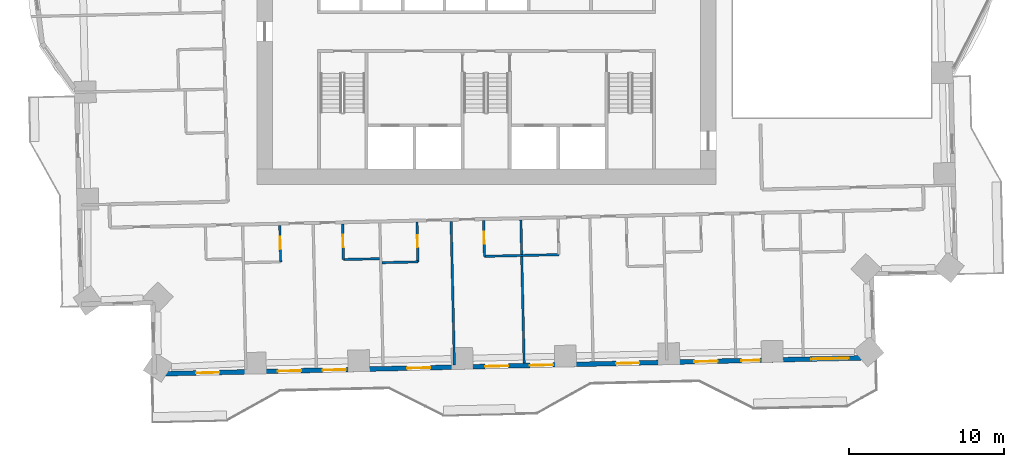
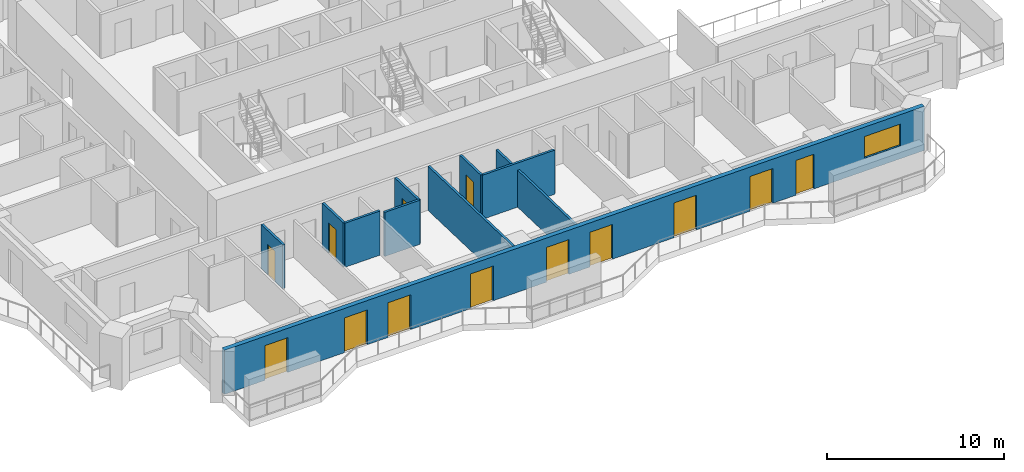
# One storey, part 6 of 17: 13 doors, 10 walls, 1 window, 14 openings.
"""IFC4 building model written with IfcOpenShell, lengths in metres."""

from ifc_helpers import new_model, si_unit, direction, frame, frame_2d, origin, place, context, subcontext, project, spatial, rectangle, extrude, material, layer, layer_set, type_object, element, fill, save


model = new_model("IFC4")

# Units and contexts
model_context = context("Model", 3, precision=1e-05, world=origin(), true_north=direction((0.0, 1.0)))
body_context = subcontext(model_context, "Body", "Model", "MODEL_VIEW")
ifc_project = project(units=[si_unit("LENGTHUNIT", "METRE"), si_unit("AREAUNIT", "SQUARE_METRE"), si_unit("VOLUMEUNIT", "CUBIC_METRE"), si_unit("PLANEANGLEUNIT", "RADIAN"), si_unit("MASSUNIT", "GRAM", prefix="KILO")], contexts=[model_context])

# Site, building, storey
site_placement = place(None, origin())
site = spatial("IfcSite", under=ifc_project, at=site_placement, CompositionType="ELEMENT")
building_placement = place(site_placement, origin())
building = spatial("IfcBuilding", under=site, at=building_placement, Name="Mangrove Gate Tower", CompositionType="ELEMENT")
storey_placement = place(building_placement, frame((0.0, 0.0, 90.10009765625)))
storey = spatial("IfcBuildingStorey", under=building, at=storey_placement, Name="L22", CompositionType="ELEMENT", Elevation=90.10009765625)

# Wall, openings, doors, window
ifc_material_1 = material(Name="Limestone", Category="masonry")
ifc_layer_1 = layer(ifc_material_1, 0.0400390625, Name="Limestone cladding")
ifc_material_2 = material(Name="Ventilated air gap")
ifc_layer_2 = layer(ifc_material_2, 0.0400390625, Name="Ventilated cavity")
ifc_material_3 = material(Name="Mineral wool insulation")
ifc_layer_3 = layer(ifc_material_3, 0.06005859375, Name="Insulation")
ifc_material_4 = material(Name="Breather membrane")
ifc_layer_4 = layer(ifc_material_4, 0.001953125, Name="Breather membrane")
ifc_material_5 = material(Name="Concrete C20/25 blockwork", Category="masonry")
ifc_layer_5 = layer(ifc_material_5, 0.14990234375, Name="Blockwork backing wall")
ifc_material_6 = material(Name="Gypsum plaster")
ifc_layer_6 = layer(ifc_material_6, 0.008056640625, Name="Internal plaster")
ifc_layer_set_1 = layer_set([ifc_layer_1, ifc_layer_2, ifc_layer_3, ifc_layer_4, ifc_layer_5, ifc_layer_6], Name="External wall 300 limestone cladding")
wall_type_1 = type_object("IfcWallType", Name="External wall 300 limestone cladding", PredefinedType="SOLIDWALL", material=ifc_layer_set_1)
wall_1_placement = place(storey_placement, frame((-21.408935546875, -24.029052734375, 0.0), z_axis=(0.0, 0.0, 1.0), x_axis=(0.999742634032, 0.022686244721, 0.0)))
wall_1 = element("IfcWall", 1, at=wall_1_placement, inside=storey, type_object=wall_type_1, Name="WALL-L22-S13", PredefinedType="SOLIDWALL", context=body_context, shape_type="SweptSolid", body=[
    extrude(rectangle(XDim=46.371826171875, YDim=0.300048828125, at=frame_2d((23.18603515625, 0.0))), origin(), (0.0, 0.0, 1.0), 3.0498046875),
])
opening_1_placement = place(wall_1_placement, frame((2.68603515625, 0.0, 0.0)))
opening_1 = element("IfcOpeningElement", 2, at=opening_1_placement, cuts=wall_1, Name="Opening BD1", PredefinedType="OPENING", context=body_context, shape_type="SweptSolid", body=[
    extrude(rectangle(XDim=1.5, YDim=2.39990234375, at=frame_2d((0.75, 1.199951171875))), frame((0.0, 0.159912109375, 0.0), z_axis=(0.0, -1.0, 0.0), x_axis=(1.0, 0.0, 0.0)), (0.0, 0.0, 1.0), 0.320068359375),
])
opening_2_placement = place(wall_1_placement, frame((7.958984375, 0.0, 0.0)))
opening_2 = element("IfcOpeningElement", 3, at=opening_2_placement, cuts=wall_1, Name="Opening BD1", PredefinedType="OPENING", context=body_context, shape_type="SweptSolid", body=[
    extrude(rectangle(XDim=1.5, YDim=2.39990234375, at=frame_2d((0.75, 1.199951171875))), frame((0.0, 0.159912109375, 0.0), z_axis=(0.0, -1.0, 0.0), x_axis=(1.0, 0.0, 0.0)), (0.0, 0.0, 1.0), 0.320068359375),
])
opening_3_placement = place(wall_1_placement, frame((10.842041015625, 0.0, 0.0)))
opening_3 = element("IfcOpeningElement", 4, at=opening_3_placement, cuts=wall_1, Name="Opening BD1", PredefinedType="OPENING", context=body_context, shape_type="SweptSolid", body=[
    extrude(rectangle(XDim=1.5, YDim=2.39990234375, at=frame_2d((0.75, 1.199951171875))), frame((0.0, 0.159912109375, 0.0), z_axis=(0.0, -1.0, 0.0), x_axis=(1.0, 0.0, 0.0)), (0.0, 0.0, 1.0), 0.320068359375),
])
opening_4_placement = place(wall_1_placement, frame((16.300048828125, 0.0, 0.0)))
opening_4 = element("IfcOpeningElement", 5, at=opening_4_placement, cuts=wall_1, Name="Opening BD1", PredefinedType="OPENING", context=body_context, shape_type="SweptSolid", body=[
    extrude(rectangle(XDim=1.5, YDim=2.39990234375, at=frame_2d((0.75, 1.199951171875))), frame((0.0, 0.159912109375, 0.0), z_axis=(0.0, -1.0, 0.0), x_axis=(1.0, 0.0, 0.0)), (0.0, 0.0, 1.0), 0.320068359375),
])
opening_5_placement = place(wall_1_placement, frame((21.325927734375, 0.0, 0.0)))
opening_5 = element("IfcOpeningElement", 6, at=opening_5_placement, cuts=wall_1, Name="Opening BD1", PredefinedType="OPENING", context=body_context, shape_type="SweptSolid", body=[
    extrude(rectangle(XDim=1.5, YDim=2.39990234375, at=frame_2d((0.75, 1.199951171875))), frame((0.0, 0.159912109375, 0.0), z_axis=(0.0, -1.0, 0.0), x_axis=(1.0, 0.0, 0.0)), (0.0, 0.0, 1.0), 0.320068359375),
])
opening_6_placement = place(wall_1_placement, frame((24.2099609375, 0.0, 0.0)))
opening_6 = element("IfcOpeningElement", 7, at=opening_6_placement, cuts=wall_1, Name="Opening BD1", PredefinedType="OPENING", context=body_context, shape_type="SweptSolid", body=[
    extrude(rectangle(XDim=1.5, YDim=2.39990234375, at=frame_2d((0.75, 1.199951171875))), frame((0.0, 0.159912109375, 0.0), z_axis=(0.0, -1.0, 0.0), x_axis=(1.0, 0.0, 0.0)), (0.0, 0.0, 1.0), 0.320068359375),
])
opening_7_placement = place(wall_1_placement, frame((29.76904296875, 0.0, 0.0)))
opening_7 = element("IfcOpeningElement", 8, at=opening_7_placement, cuts=wall_1, Name="Opening BD1", PredefinedType="OPENING", context=body_context, shape_type="SweptSolid", body=[
    extrude(rectangle(XDim=1.5, YDim=2.39990234375, at=frame_2d((0.75, 1.199951171875))), frame((0.0, 0.159912109375, 0.0), z_axis=(0.0, -1.0, 0.0), x_axis=(1.0, 0.0, 0.0)), (0.0, 0.0, 1.0), 0.320068359375),
])
opening_8_placement = place(wall_1_placement, frame((34.819091796875, 0.0, 0.0)))
opening_8 = element("IfcOpeningElement", 9, at=opening_8_placement, cuts=wall_1, Name="Opening BD1", PredefinedType="OPENING", context=body_context, shape_type="SweptSolid", body=[
    extrude(rectangle(XDim=1.5, YDim=2.39990234375, at=frame_2d((0.75, 1.199951171875))), frame((0.0, 0.159912109375, 0.0), z_axis=(0.0, -1.0, 0.0), x_axis=(1.0, 0.0, 0.0)), (0.0, 0.0, 1.0), 0.320068359375),
])
opening_9_placement = place(wall_1_placement, frame((37.85205078125, 0.0, 0.0)))
opening_9 = element("IfcOpeningElement", 10, at=opening_9_placement, cuts=wall_1, Name="Opening BD2", PredefinedType="OPENING", context=body_context, shape_type="SweptSolid", body=[
    extrude(rectangle(XDim=1.199951171875, YDim=2.39990234375, at=frame_2d((0.60009765625, 1.199951171875))), frame((0.0, 0.159912109375, 0.0), z_axis=(0.0, -1.0, 0.0), x_axis=(1.0, 0.0, 0.0)), (0.0, 0.0, 1.0), 0.320068359375),
])
opening_10_placement = place(wall_1_placement, frame((42.373046875, 0.0, 0.89990234375)))
opening_10 = element("IfcOpeningElement", 11, at=opening_10_placement, cuts=wall_1, Name="Opening W2", PredefinedType="OPENING", context=body_context, shape_type="SweptSolid", body=[
    extrude(rectangle(XDim=2.39990234375, YDim=1.5, at=frame_2d((1.199951171875, 0.75))), frame((0.0, 0.159912109375, 0.0), z_axis=(0.0, -1.0, 0.0), x_axis=(1.0, 0.0, 0.0)), (0.0, 0.0, 1.0), 0.320068359375),
])
ifc_material_7 = material(Name="Aluminium frame with laminated clear glass", Category="aluminium")
door_type_1 = type_object("IfcDoorType", Name="Balcony sliding door 1200x2400", OperationType="SLIDING_TO_LEFT", PredefinedType="DOOR", material=ifc_material_7)
door_1_placement = place(opening_9_placement, origin())
door_1 = element("IfcDoor", 12, at=door_1_placement, inside=storey, type_object=door_type_1, Name="DOOR-L22-S13-9", OperationType="SLIDING_TO_LEFT", OverallHeight=2.39990234375, OverallWidth=1.199951171875, PredefinedType="DOOR", context=body_context, shape_type="SweptSolid", body=[
    extrude(rectangle(XDim=1.199951171875, YDim=2.39990234375, at=frame_2d((0.60009765625, 1.199951171875))), frame((0.0, 0.02490234375, 0.0), z_axis=(0.0, -1.0, 0.0), x_axis=(1.0, 0.0, 0.0)), (0.0, 0.0, 1.0), 0.050048828125),
])
fill(opening_9, door_1)
ifc_material_8 = material(Name="Aluminium frame with laminated clear glass", Category="aluminium")
door_type_2 = type_object("IfcDoorType", Name="Balcony sliding door 1500x2400", OperationType="SLIDING_TO_LEFT", PredefinedType="DOOR", material=ifc_material_8)
door_2_placement = place(opening_1_placement, origin())
door_2 = element("IfcDoor", 13, at=door_2_placement, inside=storey, type_object=door_type_2, Name="DOOR-L22-S13-1", OperationType="SLIDING_TO_LEFT", OverallHeight=2.39990234375, OverallWidth=1.5, PredefinedType="DOOR", context=body_context, shape_type="SweptSolid", body=[
    extrude(rectangle(XDim=1.5, YDim=2.39990234375, at=frame_2d((0.75, 1.199951171875))), frame((0.0, 0.02490234375, 0.0), z_axis=(0.0, -1.0, 0.0), x_axis=(1.0, 0.0, 0.0)), (0.0, 0.0, 1.0), 0.050048828125),
])
fill(opening_1, door_2)
door_3_placement = place(opening_2_placement, origin())
door_3 = element("IfcDoor", 14, at=door_3_placement, inside=storey, type_object=door_type_2, Name="DOOR-L22-S13-2", OperationType="SLIDING_TO_LEFT", OverallHeight=2.39990234375, OverallWidth=1.5, PredefinedType="DOOR", context=body_context, shape_type="SweptSolid", body=[
    extrude(rectangle(XDim=1.5, YDim=2.39990234375, at=frame_2d((0.75, 1.199951171875))), frame((0.0, 0.02490234375, 0.0), z_axis=(0.0, -1.0, 0.0), x_axis=(1.0, 0.0, 0.0)), (0.0, 0.0, 1.0), 0.050048828125),
])
fill(opening_2, door_3)
door_4_placement = place(opening_3_placement, origin())
door_4 = element("IfcDoor", 15, at=door_4_placement, inside=storey, type_object=door_type_2, Name="DOOR-L22-S13-3", OperationType="SLIDING_TO_LEFT", OverallHeight=2.39990234375, OverallWidth=1.5, PredefinedType="DOOR", context=body_context, shape_type="SweptSolid", body=[
    extrude(rectangle(XDim=1.5, YDim=2.39990234375, at=frame_2d((0.75, 1.199951171875))), frame((0.0, 0.02490234375, 0.0), z_axis=(0.0, -1.0, 0.0), x_axis=(1.0, 0.0, 0.0)), (0.0, 0.0, 1.0), 0.050048828125),
])
fill(opening_3, door_4)
door_5_placement = place(opening_4_placement, origin())
door_5 = element("IfcDoor", 16, at=door_5_placement, inside=storey, type_object=door_type_2, Name="DOOR-L22-S13-4", OperationType="SLIDING_TO_LEFT", OverallHeight=2.39990234375, OverallWidth=1.5, PredefinedType="DOOR", context=body_context, shape_type="SweptSolid", body=[
    extrude(rectangle(XDim=1.5, YDim=2.39990234375, at=frame_2d((0.75, 1.199951171875))), frame((0.0, 0.02490234375, 0.0), z_axis=(0.0, -1.0, 0.0), x_axis=(1.0, 0.0, 0.0)), (0.0, 0.0, 1.0), 0.050048828125),
])
fill(opening_4, door_5)
door_6_placement = place(opening_5_placement, origin())
door_6 = element("IfcDoor", 17, at=door_6_placement, inside=storey, type_object=door_type_2, Name="DOOR-L22-S13-5", OperationType="SLIDING_TO_LEFT", OverallHeight=2.39990234375, OverallWidth=1.5, PredefinedType="DOOR", context=body_context, shape_type="SweptSolid", body=[
    extrude(rectangle(XDim=1.5, YDim=2.39990234375, at=frame_2d((0.75, 1.199951171875))), frame((0.0, 0.02490234375, 0.0), z_axis=(0.0, -1.0, 0.0), x_axis=(1.0, 0.0, 0.0)), (0.0, 0.0, 1.0), 0.050048828125),
])
fill(opening_5, door_6)
door_7_placement = place(opening_6_placement, origin())
door_7 = element("IfcDoor", 18, at=door_7_placement, inside=storey, type_object=door_type_2, Name="DOOR-L22-S13-6", OperationType="SLIDING_TO_LEFT", OverallHeight=2.39990234375, OverallWidth=1.5, PredefinedType="DOOR", context=body_context, shape_type="SweptSolid", body=[
    extrude(rectangle(XDim=1.5, YDim=2.39990234375, at=frame_2d((0.75, 1.199951171875))), frame((0.0, 0.02490234375, 0.0), z_axis=(0.0, -1.0, 0.0), x_axis=(1.0, 0.0, 0.0)), (0.0, 0.0, 1.0), 0.050048828125),
])
fill(opening_6, door_7)
door_8_placement = place(opening_7_placement, origin())
door_8 = element("IfcDoor", 19, at=door_8_placement, inside=storey, type_object=door_type_2, Name="DOOR-L22-S13-7", OperationType="SLIDING_TO_LEFT", OverallHeight=2.39990234375, OverallWidth=1.5, PredefinedType="DOOR", context=body_context, shape_type="SweptSolid", body=[
    extrude(rectangle(XDim=1.5, YDim=2.39990234375, at=frame_2d((0.75, 1.199951171875))), frame((0.0, 0.02490234375, 0.0), z_axis=(0.0, -1.0, 0.0), x_axis=(1.0, 0.0, 0.0)), (0.0, 0.0, 1.0), 0.050048828125),
])
fill(opening_7, door_8)
door_9_placement = place(opening_8_placement, origin())
door_9 = element("IfcDoor", 20, at=door_9_placement, inside=storey, type_object=door_type_2, Name="DOOR-L22-S13-8", OperationType="SLIDING_TO_LEFT", OverallHeight=2.39990234375, OverallWidth=1.5, PredefinedType="DOOR", context=body_context, shape_type="SweptSolid", body=[
    extrude(rectangle(XDim=1.5, YDim=2.39990234375, at=frame_2d((0.75, 1.199951171875))), frame((0.0, 0.02490234375, 0.0), z_axis=(0.0, -1.0, 0.0), x_axis=(1.0, 0.0, 0.0)), (0.0, 0.0, 1.0), 0.050048828125),
])
fill(opening_8, door_9)
ifc_material_9 = material(Name="Aluminium frame with double-glazed low-e glass", Category="aluminium")
window_type = type_object("IfcWindowType", Name="Corner room window 2400x1500", PartitioningType="DOUBLE_PANEL_VERTICAL", PredefinedType="WINDOW", material=ifc_material_9)
window_placement = place(opening_10_placement, origin())
window = element("IfcWindow", 21, at=window_placement, inside=storey, type_object=window_type, Name="WIN-L22-S13-10", OverallHeight=1.5, OverallWidth=2.39990234375, PartitioningType="DOUBLE_PANEL_VERTICAL", PredefinedType="WINDOW", context=body_context, shape_type="SweptSolid", body=[
    extrude(rectangle(XDim=2.39990234375, YDim=1.5, at=frame_2d((1.199951171875, 0.75))), frame((0.0, 0.030029296875, 0.0), z_axis=(0.0, -1.0, 0.0), x_axis=(1.0, 0.0, 0.0)), (0.0, 0.0, 1.0), 0.06005859375),
])
fill(opening_10, window)

# Walls
ifc_material_10 = material(Name="Gypsum board on steel stud, EI 60", Category="steel")
ifc_layer_7 = layer(ifc_material_10, 0.14990234375)
ifc_layer_set_2 = layer_set([ifc_layer_7], Name="Party wall 150 EI 60")
wall_type_2 = type_object("IfcWallType", Name="Party wall 150 EI 60", PredefinedType="PARTITIONING", material=ifc_layer_set_2)
wall_2_placement = place(storey_placement, frame((-2.072021484375, -23.43994140625, 0.0), z_axis=(0.0, 0.0, 1.0), x_axis=(-0.022697424684, 0.999742380272, 0.0)))
element("IfcWall", 22, at=wall_2_placement, inside=storey, type_object=wall_type_2, Name="WALL-L22-004", PredefinedType="PARTITIONING", context=body_context, shape_type="SweptSolid", body=[
    extrude(rectangle(XDim=9.25048828125, YDim=0.14990234375, at=frame_2d((4.625244140625, 0.0))), origin(), (0.0, 0.0, 1.0), 3.0498046875),
])
wall_3_placement = place(storey_placement, frame((2.427001953125, -23.337890625, 0.0), z_axis=(0.0, 0.0, 1.0), x_axis=(-0.022698023584, 0.999742366675, 0.0)))
element("IfcWall", 23, at=wall_3_placement, inside=storey, type_object=wall_type_2, Name="WALL-L22-005", PredefinedType="PARTITIONING", context=body_context, shape_type="SweptSolid", body=[
    extrude(rectangle(XDim=9.250244140625, YDim=0.14990234375, at=frame_2d((4.625, 0.0))), origin(), (0.0, 0.0, 1.0), 2.5498046875),
])
wall_4_placement = place(storey_placement, frame((-6.742919921875, -16.85400390625, 0.0), z_axis=(0.0, 0.0, 1.0), x_axis=(0.999740260747, 0.02279059109, 0.0)))
element("IfcWall", 24, at=wall_4_placement, inside=storey, type_object=wall_type_2, Name="WALL-L22-012", PredefinedType="PARTITIONING", context=body_context, shape_type="SweptSolid", body=[
    extrude(rectangle(XDim=2.324462890625, YDim=0.14990234375, at=frame_2d((1.162109375, 0.0))), origin(), (0.0, 0.0, 1.0), 3.0498046875),
])

# Wall, opening, door
wall_5_placement = place(storey_placement, frame((-4.423095703125, -16.801025390625, 0.0), z_axis=(0.0, 0.0, 1.0), x_axis=(-0.022604411713, 0.999744487642, 0.0)))
wall_5 = element("IfcWall", 25, at=wall_5_placement, inside=storey, type_object=wall_type_2, Name="WALL-L22-013", PredefinedType="PARTITIONING", context=body_context, shape_type="SweptSolid", body=[
    extrude(rectangle(XDim=2.559814453125, YDim=0.14990234375, at=frame_2d((1.27978515625, 0.0))), origin(), (0.0, 0.0, 1.0), 3.0498046875),
])
opening_11_placement = place(wall_5_placement, frame((0.929931640625, 0.0, 0.0)))
opening_11 = element("IfcOpeningElement", 26, at=opening_11_placement, cuts=wall_5, Name="Opening ED", PredefinedType="OPENING", context=body_context, shape_type="SweptSolid", body=[
    extrude(rectangle(XDim=0.800048828125, YDim=2.10009765625, at=frame_2d((0.39990234375, 1.050048828125))), frame((0.0, 0.0849609375, 0.0), z_axis=(0.0, -1.0, 0.0), x_axis=(1.0, 0.0, 0.0)), (0.0, 0.0, 1.0), 0.169921875),
])
ifc_material_11 = material(Name="Timber door leaf", Category="wood")
door_type_3 = type_object("IfcDoorType", Name="En-suite door 800", OperationType="SINGLE_SWING_LEFT", PredefinedType="DOOR", material=ifc_material_11)
door_10_placement = place(opening_11_placement, origin())
door_10 = element("IfcDoor", 27, at=door_10_placement, inside=storey, type_object=door_type_3, Name="DOOR-L22-ENS-c103", OperationType="SINGLE_SWING_LEFT", OverallHeight=2.10009765625, OverallWidth=0.800048828125, PredefinedType="DOOR", context=body_context, shape_type="SweptSolid", body=[
    extrude(rectangle(XDim=0.800048828125, YDim=2.10009765625, at=frame_2d((0.39990234375, 1.050048828125))), frame((0.0, 0.02490234375, 0.0), z_axis=(0.0, -1.0, 0.0), x_axis=(1.0, 0.0, 0.0)), (0.0, 0.0, 1.0), 0.050048828125),
])
fill(opening_11, door_10)

wall_6_placement = place(storey_placement, frame((-13.27490234375, -16.802001953125, 0.0), z_axis=(0.0, 0.0, 1.0), x_axis=(-0.02297054684, 0.999736142178, 0.0)))
wall_6 = element("IfcWall", 28, at=wall_6_placement, inside=storey, type_object=wall_type_2, Name="WALL-L22-017", PredefinedType="PARTITIONING", context=body_context, shape_type="SweptSolid", body=[
    extrude(rectangle(XDim=2.359619140625, YDim=0.14990234375, at=frame_2d((1.1796875, 0.0))), origin(), (0.0, 0.0, 1.0), 3.0498046875),
])
opening_12_placement = place(wall_6_placement, frame((0.830078125, 0.0, 0.0)))
opening_12 = element("IfcOpeningElement", 29, at=opening_12_placement, cuts=wall_6, Name="Opening ED", PredefinedType="OPENING", context=body_context, shape_type="SweptSolid", body=[
    extrude(rectangle(XDim=0.800048828125, YDim=2.10009765625, at=frame_2d((0.39990234375, 1.050048828125))), frame((0.0, 0.0849609375, 0.0), z_axis=(0.0, -1.0, 0.0), x_axis=(1.0, 0.0, 0.0)), (0.0, 0.0, 1.0), 0.169921875),
])
door_11_placement = place(opening_12_placement, origin())
door_11 = element("IfcDoor", 30, at=door_11_placement, inside=storey, type_object=door_type_3, Name="DOOR-L22-ENS-c101", OperationType="SINGLE_SWING_LEFT", OverallHeight=2.10009765625, OverallWidth=0.800048828125, PredefinedType="DOOR", context=body_context, shape_type="SweptSolid", body=[
    extrude(rectangle(XDim=0.800048828125, YDim=2.10009765625, at=frame_2d((0.39990234375, 1.050048828125))), frame((0.0, 0.02490234375, 0.0), z_axis=(0.0, -1.0, 0.0), x_axis=(1.0, 0.0, 0.0)), (0.0, 0.0, 1.0), 0.050048828125),
])
fill(opening_12, door_11)

wall_7_placement = place(storey_placement, frame((-9.22802734375, -16.64990234375, 0.0), z_axis=(0.0, 0.0, 1.0), x_axis=(-0.022615284993, 0.999744241736, 0.0)))
wall_7 = element("IfcWall", 31, at=wall_7_placement, inside=storey, type_object=wall_type_2, Name="WALL-L22-018", PredefinedType="PARTITIONING", context=body_context, shape_type="SweptSolid", body=[
    extrude(rectangle(XDim=2.29931640625, YDim=0.14990234375, at=frame_2d((1.149658203125, 0.0))), origin(), (0.0, 0.0, 1.0), 3.0498046875),
])
opening_13_placement = place(wall_7_placement, frame((0.800048828125, 0.0, 0.0)))
opening_13 = element("IfcOpeningElement", 32, at=opening_13_placement, cuts=wall_7, Name="Opening ED", PredefinedType="OPENING", context=body_context, shape_type="SweptSolid", body=[
    extrude(rectangle(XDim=0.800048828125, YDim=2.10009765625, at=frame_2d((0.39990234375, 1.050048828125))), frame((0.0, 0.0849609375, 0.0), z_axis=(0.0, -1.0, 0.0), x_axis=(1.0, 0.0, 0.0)), (0.0, 0.0, 1.0), 0.169921875),
])
door_12_placement = place(opening_13_placement, origin())
door_12 = element("IfcDoor", 33, at=door_12_placement, inside=storey, type_object=door_type_3, Name="DOOR-L22-ENS-c102", OperationType="SINGLE_SWING_RIGHT", OverallHeight=2.10009765625, OverallWidth=0.800048828125, PredefinedType="DOOR", context=body_context, shape_type="SweptSolid", body=[
    extrude(rectangle(XDim=0.800048828125, YDim=2.10009765625, at=frame_2d((0.39990234375, 1.050048828125))), frame((0.0, 0.02490234375, 0.0), z_axis=(0.0, -1.0, 0.0), x_axis=(1.0, 0.0, 0.0)), (0.0, 0.0, 1.0), 0.050048828125),
])
fill(opening_13, door_12)

# Wall
wall_8_placement = place(storey_placement, frame((-9.22412109375, -16.64990234375, 0.0), z_axis=(0.0, 0.0, 1.0), x_axis=(0.999750007167, 0.022358961731, 0.0)))
element("IfcWall", 34, at=wall_8_placement, inside=storey, type_object=wall_type_2, Name="WALL-L22-019", PredefinedType="PARTITIONING", context=body_context, shape_type="SweptSolid", body=[
    extrude(rectangle(XDim=2.32568359375, YDim=0.14990234375, at=frame_2d((1.162841796875, 0.0))), origin(), (0.0, 0.0, 1.0), 3.0498046875),
])

# Wall, opening, door
wall_9_placement = place(storey_placement, frame((-0.1298828125, -16.444091796875, 0.0), z_axis=(0.0, 0.0, 1.0), x_axis=(-0.022603288534, 0.999744513037, 0.0)))
wall_9 = element("IfcWall", 35, at=wall_9_placement, inside=storey, type_object=wall_type_2, Name="WALL-L22-020", PredefinedType="PARTITIONING", context=body_context, shape_type="SweptSolid", body=[
    extrude(rectangle(XDim=2.300537109375, YDim=0.14990234375, at=frame_2d((1.150390625, 0.0))), origin(), (0.0, 0.0, 1.0), 3.0498046875),
])
opening_14_placement = place(wall_9_placement, frame((0.800048828125, 0.0, 0.0)))
opening_14 = element("IfcOpeningElement", 36, at=opening_14_placement, cuts=wall_9, Name="Opening ED", PredefinedType="OPENING", context=body_context, shape_type="SweptSolid", body=[
    extrude(rectangle(XDim=0.800048828125, YDim=2.10009765625, at=frame_2d((0.39990234375, 1.050048828125))), frame((0.0, 0.0849609375, 0.0), z_axis=(0.0, -1.0, 0.0), x_axis=(1.0, 0.0, 0.0)), (0.0, 0.0, 1.0), 0.169921875),
])
door_13_placement = place(opening_14_placement, origin())
door_13 = element("IfcDoor", 37, at=door_13_placement, inside=storey, type_object=door_type_3, Name="DOOR-L22-ENS-c104", OperationType="SINGLE_SWING_RIGHT", OverallHeight=2.10009765625, OverallWidth=0.800048828125, PredefinedType="DOOR", context=body_context, shape_type="SweptSolid", body=[
    extrude(rectangle(XDim=0.800048828125, YDim=2.10009765625, at=frame_2d((0.39990234375, 1.050048828125))), frame((0.0, 0.02490234375, 0.0), z_axis=(0.0, -1.0, 0.0), x_axis=(1.0, 0.0, 0.0)), (0.0, 0.0, 1.0), 0.050048828125),
])
fill(opening_14, door_13)

# Wall
wall_10_placement = place(storey_placement, frame((-0.1259765625, -16.444091796875, 0.0), z_axis=(0.0, 0.0, 1.0), x_axis=(0.99974154664, 0.022734113616, 0.0)))
element("IfcWall", 38, at=wall_10_placement, inside=storey, type_object=wall_type_2, Name="WALL-L22-021", PredefinedType="PARTITIONING", context=body_context, shape_type="SweptSolid", body=[
    extrude(rectangle(XDim=4.80029296875, YDim=0.14990234375, at=frame_2d((2.400146484375, 0.0))), origin(), (0.0, 0.0, 1.0), 3.0498046875),
])

save(model, "model.ifc")
